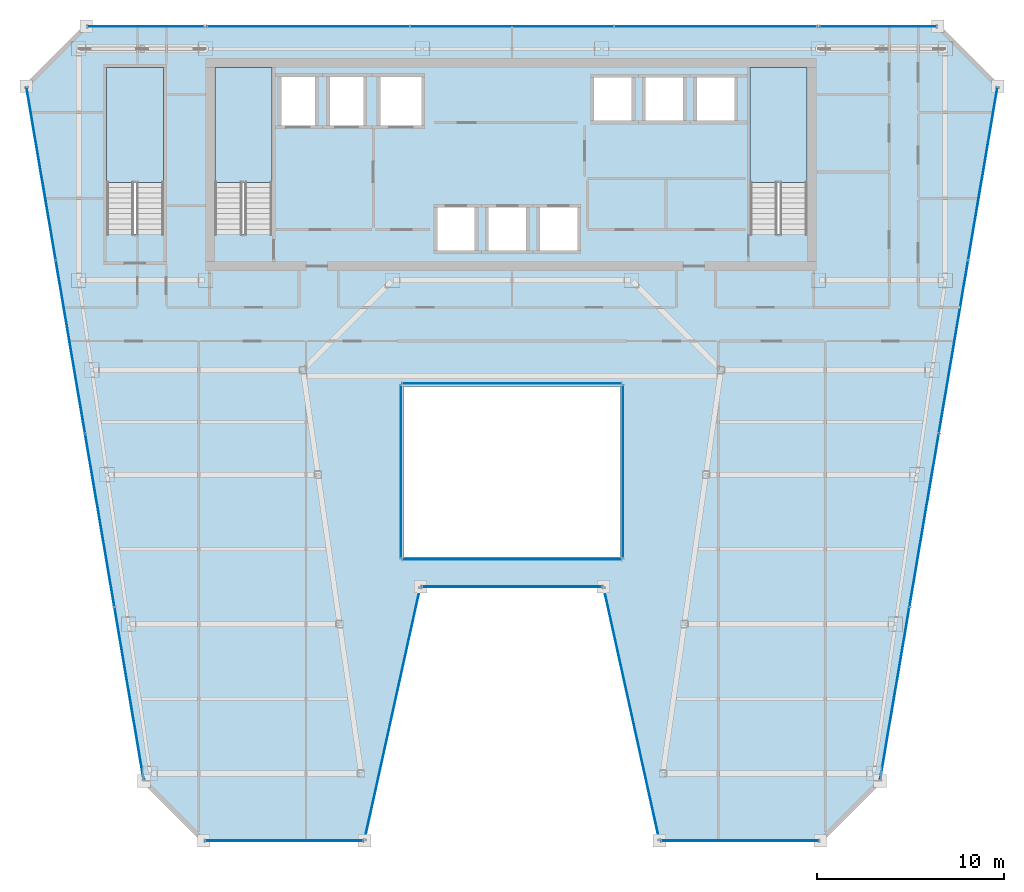
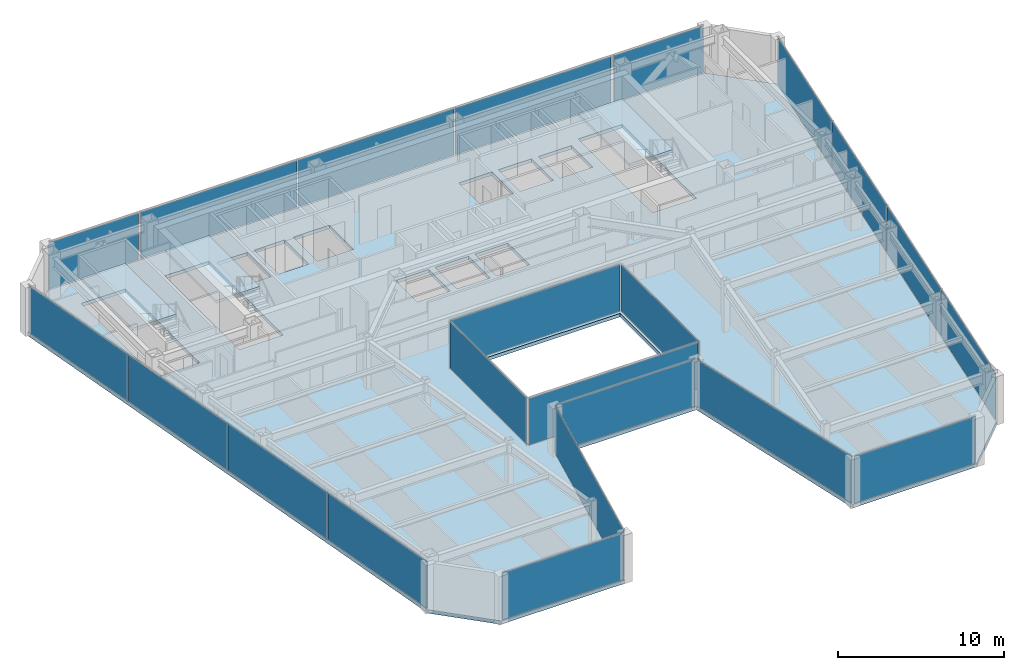
# One storey, part 28 of 36: 22 plates, 4 slabs, 17 elements without a shape of their own.
"""IFC4 building model written with IfcOpenShell, lengths in metres."""

from ifc_helpers import new_model, si_unit, direction, frame, origin, origin_2d, place, context, subcontext, project, spatial, polyline, rectangle, outline, extrude, material, layer, layer_set, type_object, element, aggregate, save


model = new_model("IFC4")

# Units and contexts
model_context = context("Model", 3, precision=1e-05, world=origin(), true_north=direction((0.0, 1.0)))
body_context = subcontext(model_context, "Body", "Model", "MODEL_VIEW")
ifc_project = project(units=[si_unit("LENGTHUNIT", "METRE"), si_unit("AREAUNIT", "SQUARE_METRE"), si_unit("VOLUMEUNIT", "CUBIC_METRE"), si_unit("PLANEANGLEUNIT", "RADIAN"), si_unit("MASSUNIT", "GRAM", prefix="KILO")], contexts=[model_context])

# Site, building, storey
site_placement = place(None, origin())
site = spatial("IfcSite", under=ifc_project, at=site_placement, CompositionType="ELEMENT")
building_placement = place(site_placement, origin())
building = spatial("IfcBuilding", under=site, at=building_placement, Name="Saevonmaru Cultural Tower", CompositionType="ELEMENT")
storey_placement = place(building_placement, frame((0.0, 0.0, 186.60009765625)))
storey = spatial("IfcBuildingStorey", under=building, at=storey_placement, Name="L42", CompositionType="ELEMENT", Elevation=186.60009765625)

# Curtain wall, plate
ifc_material_1 = material(Name="Satin Bronze Anodised Aluminium", Category="aluminium")
curtain_wall_type_1 = type_object("IfcCurtainWallType", Name="CW-ATR-GLZ", PredefinedType="NOTDEFINED", material=ifc_material_1)
curtain_wall_1_placement = place(storey_placement, origin())
curtain_wall_1 = element("IfcCurtainWall", 1, at=curtain_wall_1_placement, inside=storey, type_object=curtain_wall_type_1, Name="L42 Vertical Atrium Glazed Smoke Screen 1", PredefinedType="NOTDEFINED")
ifc_material_2 = material(Name="Fire-Rated Laminated Atrium Glass", Category="glass")
ifc_layer_1 = layer(ifc_material_2, 0.031982421875, Name="Fire-Rated Laminated Atrium Glass")
ifc_layer_set_1 = layer_set([ifc_layer_1], Name="Fire-Rated Laminated Atrium Glass")
plate_type_1 = type_object("IfcPlateType", Name="PN-GLZ-ATR-INT", PredefinedType="CURTAIN_PANEL", material=ifc_layer_set_1)
plate_1_placement = place(storey_placement, frame((30.0, 27.449951171875, 0.06689453125), z_axis=(0.0, 0.0, 1.0), x_axis=(1.0, 0.0, 0.0)))
plate_1 = element("IfcPlate", 2, at=plate_1_placement, type_object=plate_type_1, Name="CW-ATR-L42-1 panel 1.1", PredefinedType="CURTAIN_PANEL", context=body_context, shape_type="SweptSolid", body=[
    extrude(rectangle(XDim=11.7109375, YDim=0.031982421875, at=origin_2d()), origin(), (0.0, 0.0, 1.0), 3.416015625),
])
aggregate(curtain_wall_1, [plate_1])

curtain_wall_2_placement = place(storey_placement, origin())
curtain_wall_2 = element("IfcCurtainWall", 3, at=curtain_wall_2_placement, inside=storey, type_object=curtain_wall_type_1, Name="L42 Vertical Atrium Glazed Smoke Screen 2", PredefinedType="NOTDEFINED")
plate_2_placement = place(storey_placement, frame((35.949951171875, 32.159912109375, 0.06689453125), z_axis=(0.0, 0.0, 1.0), x_axis=(0.0, 1.0, 0.0)))
plate_2 = element("IfcPlate", 4, at=plate_2_placement, type_object=plate_type_1, Name="CW-ATR-L42-2 panel 1.1", PredefinedType="CURTAIN_PANEL", context=body_context, shape_type="SweptSolid", body=[
    extrude(rectangle(XDim=9.23095703125, YDim=0.031982421875, at=origin_2d()), origin(), (0.0, 0.0, 1.0), 3.416015625),
])
aggregate(curtain_wall_2, [plate_2])

curtain_wall_3_placement = place(storey_placement, origin())
curtain_wall_3 = element("IfcCurtainWall", 5, at=curtain_wall_3_placement, inside=storey, type_object=curtain_wall_type_1, Name="L42 Vertical Atrium Glazed Smoke Screen 3", PredefinedType="NOTDEFINED")
plate_3_placement = place(storey_placement, frame((30.0, 36.8701171875, 0.06689453125), z_axis=(0.0, 0.0, 1.0), x_axis=(-1.0, 0.0, 0.0)))
plate_3 = element("IfcPlate", 6, at=plate_3_placement, type_object=plate_type_1, Name="CW-ATR-L42-3 panel 1.1", PredefinedType="CURTAIN_PANEL", context=body_context, shape_type="SweptSolid", body=[
    extrude(rectangle(XDim=11.7109375, YDim=0.031982421875, at=origin_2d()), origin(), (0.0, 0.0, 1.0), 3.416015625),
])
aggregate(curtain_wall_3, [plate_3])

curtain_wall_4_placement = place(storey_placement, origin())
curtain_wall_4 = element("IfcCurtainWall", 7, at=curtain_wall_4_placement, inside=storey, type_object=curtain_wall_type_1, Name="L42 Vertical Atrium Glazed Smoke Screen 4", PredefinedType="NOTDEFINED")
plate_4_placement = place(storey_placement, frame((24.050048828125, 32.159912109375, 0.06689453125), z_axis=(0.0, 0.0, 1.0), x_axis=(0.0, -1.0, 0.0)))
plate_4 = element("IfcPlate", 8, at=plate_4_placement, type_object=plate_type_1, Name="CW-ATR-L42-4 panel 1.1", PredefinedType="CURTAIN_PANEL", context=body_context, shape_type="SweptSolid", body=[
    extrude(rectangle(XDim=9.23095703125, YDim=0.031982421875, at=origin_2d()), origin(), (0.0, 0.0, 1.0), 3.416015625),
])
aggregate(curtain_wall_4, [plate_4])

curtain_wall_type_2 = type_object("IfcCurtainWallType", Name="CW-TYP-B", PredefinedType="NOTDEFINED", material=ifc_material_1)
curtain_wall_5_placement = place(storey_placement, origin())
curtain_wall_5 = element("IfcCurtainWall", 9, at=curtain_wall_5_placement, inside=storey, type_object=curtain_wall_type_2, Name="L42 Unitised Curtain Wall E2", PredefinedType="NOTDEFINED")
ifc_material_3 = material(Name="Triple Silver Low-E Insulating Glass", Category="glass")
ifc_layer_2 = layer(ifc_material_3, 0.035888671875, Name="Triple Silver Low-E Insulating Glass")
ifc_layer_set_2 = layer_set([ifc_layer_2], Name="Triple Silver Low-E Insulating Glass")
plate_type_2 = type_object("IfcPlateType", Name="PN-GLZ-IGU", PredefinedType="CURTAIN_PANEL", material=ifc_layer_set_2)
plate_5_placement = place(storey_placement, frame((17.7978515625, 12.39990234375, 0.06689453125), z_axis=(0.0, 0.0, 1.0), x_axis=(1.0, 0.0, 0.0)))
plate_5 = element("IfcPlate", 10, at=plate_5_placement, type_object=plate_type_2, Name="CW-TW-L42-E2 panel 1.1", PredefinedType="CURTAIN_PANEL", context=body_context, shape_type="SweptSolid", body=[
    extrude(rectangle(XDim=8.410888671875, YDim=0.035888671875, at=origin_2d()), origin(), (0.0, 0.0, 1.0), 3.416015625),
])
aggregate(curtain_wall_5, [plate_5])

curtain_wall_6_placement = place(storey_placement, origin())
curtain_wall_6 = element("IfcCurtainWall", 11, at=curtain_wall_6_placement, inside=storey, type_object=curtain_wall_type_2, Name="L42 Unitised Curtain Wall E3", PredefinedType="NOTDEFINED")
plate_6_placement = place(storey_placement, frame((23.597900390625, 19.199951171875, 0.06689453125), z_axis=(0.0, 0.0, 1.0), x_axis=(0.215413319953, 0.976522965212, 0.0)))
plate_6 = element("IfcPlate", 12, at=plate_6_placement, type_object=plate_type_2, Name="CW-TW-L42-E3 panel 1.1", PredefinedType="CURTAIN_PANEL", context=body_context, shape_type="SweptSolid", body=[
    extrude(rectangle(XDim=13.738037109375, YDim=0.035888671875, at=origin_2d()), origin(), (0.0, 0.0, 1.0), 3.416015625),
])
aggregate(curtain_wall_6, [plate_6])

curtain_wall_7_placement = place(storey_placement, origin())
curtain_wall_7 = element("IfcCurtainWall", 13, at=curtain_wall_7_placement, inside=storey, type_object=curtain_wall_type_2, Name="L42 Unitised Curtain Wall E4", PredefinedType="NOTDEFINED")
plate_7_placement = place(storey_placement, frame((30.0, 26.0, 0.06689453125), z_axis=(0.0, 0.0, 1.0), x_axis=(1.0, 0.0, 0.0)))
plate_7 = element("IfcPlate", 14, at=plate_7_placement, type_object=plate_type_2, Name="CW-TW-L42-E4 panel 1.1", PredefinedType="CURTAIN_PANEL", context=body_context, shape_type="SweptSolid", body=[
    extrude(rectangle(XDim=9.615478515625, YDim=0.035888671875, at=origin_2d()), origin(), (0.0, 0.0, 1.0), 3.416015625),
])
aggregate(curtain_wall_7, [plate_7])

curtain_wall_8_placement = place(storey_placement, origin())
curtain_wall_8 = element("IfcCurtainWall", 15, at=curtain_wall_8_placement, inside=storey, type_object=curtain_wall_type_2, Name="L42 Unitised Curtain Wall E5", PredefinedType="NOTDEFINED")
plate_8_placement = place(storey_placement, frame((36.402099609375, 19.199951171875, 0.06689453125), z_axis=(0.0, 0.0, 1.0), x_axis=(0.215413319953, -0.976522965212, 0.0)))
plate_8 = element("IfcPlate", 16, at=plate_8_placement, type_object=plate_type_2, Name="CW-TW-L42-E5 panel 1.1", PredefinedType="CURTAIN_PANEL", context=body_context, shape_type="SweptSolid", body=[
    extrude(rectangle(XDim=13.738037109375, YDim=0.035888671875, at=origin_2d()), origin(), (0.0, 0.0, 1.0), 3.416015625),
])
aggregate(curtain_wall_8, [plate_8])

curtain_wall_9_placement = place(storey_placement, origin())
curtain_wall_9 = element("IfcCurtainWall", 17, at=curtain_wall_9_placement, inside=storey, type_object=curtain_wall_type_2, Name="L42 Unitised Curtain Wall E6", PredefinedType="NOTDEFINED")
plate_9_placement = place(storey_placement, frame((42.2021484375, 12.39990234375, 0.06689453125), z_axis=(0.0, 0.0, 1.0), x_axis=(1.0, 0.0, 0.0)))
plate_9 = element("IfcPlate", 18, at=plate_9_placement, type_object=plate_type_2, Name="CW-TW-L42-E6 panel 1.1", PredefinedType="CURTAIN_PANEL", context=body_context, shape_type="SweptSolid", body=[
    extrude(rectangle(XDim=8.410888671875, YDim=0.035888671875, at=origin_2d()), origin(), (0.0, 0.0, 1.0), 3.416015625),
])
aggregate(curtain_wall_9, [plate_9])

# Curtain wall, plates
curtain_wall_10_placement = place(storey_placement, origin())
curtain_wall_10 = element("IfcCurtainWall", 19, at=curtain_wall_10_placement, inside=storey, type_object=curtain_wall_type_2, Name="L42 Unitised Curtain Wall E8", PredefinedType="NOTDEFINED")
plate_10_placement = place(storey_placement, frame((50.496826171875, 20.29443359375, 0.06689453125), z_axis=(0.0, 0.0, 1.0), x_axis=(0.16692169721, 0.985970155228, 0.0)))
plate_10 = element("IfcPlate", 20, at=plate_10_placement, type_object=plate_type_2, Name="CW-TW-L42-E8 panel 1.1", PredefinedType="CURTAIN_PANEL", context=body_context, shape_type="SweptSolid", body=[
    extrude(rectangle(XDim=9.333251953125, YDim=0.035888671875, at=origin_2d()), origin(), (0.0, 0.0, 1.0), 3.416015625),
])
plate_11_placement = place(storey_placement, frame((52.06640625, 29.564697265625, 0.06689453125), z_axis=(0.0, 0.0, 1.0), x_axis=(0.16692169721, 0.985970155228, 0.0)))
plate_11 = element("IfcPlate", 21, at=plate_11_placement, type_object=plate_type_2, Name="CW-TW-L42-E8 panel 2.1", PredefinedType="CURTAIN_PANEL", context=body_context, shape_type="SweptSolid", body=[
    extrude(rectangle(XDim=9.333251953125, YDim=0.035888671875, at=origin_2d()), origin(), (0.0, 0.0, 1.0), 3.416015625),
])
plate_12_placement = place(storey_placement, frame((53.6357421875, 38.835205078125, 0.06689453125), z_axis=(0.0, 0.0, 1.0), x_axis=(0.16692169721, 0.985970155228, 0.0)))
plate_12 = element("IfcPlate", 22, at=plate_12_placement, type_object=plate_type_2, Name="CW-TW-L42-E8 panel 3.1", PredefinedType="CURTAIN_PANEL", context=body_context, shape_type="SweptSolid", body=[
    extrude(rectangle(XDim=9.333251953125, YDim=0.035888671875, at=origin_2d()), origin(), (0.0, 0.0, 1.0), 3.416015625),
])
plate_13_placement = place(storey_placement, frame((55.205322265625, 48.105712890625, 0.06689453125), z_axis=(0.0, 0.0, 1.0), x_axis=(0.16692169721, 0.985970155228, 0.0)))
plate_13 = element("IfcPlate", 23, at=plate_13_placement, type_object=plate_type_2, Name="CW-TW-L42-E8 panel 4.1", PredefinedType="CURTAIN_PANEL", context=body_context, shape_type="SweptSolid", body=[
    extrude(rectangle(XDim=9.333251953125, YDim=0.035888671875, at=origin_2d()), origin(), (0.0, 0.0, 1.0), 3.416015625),
])
aggregate(curtain_wall_10, [plate_10, plate_11, plate_12, plate_13])

curtain_wall_11_placement = place(storey_placement, origin())
curtain_wall_11 = element("IfcCurtainWall", 24, at=curtain_wall_11_placement, inside=storey, type_object=curtain_wall_type_2, Name="L42 North Spine Unitised Curtain Wall E10B", PredefinedType="NOTDEFINED")
plate_14_placement = place(storey_placement, frame((40.893310546875, 56.0, 0.06689453125), z_axis=(0.0, 0.0, 1.0), x_axis=(-1.0, 0.0, 0.0)))
plate_14 = element("IfcPlate", 25, at=plate_14_placement, type_object=plate_type_2, Name="CW-TW-L42-E10B panel 1.1", PredefinedType="CURTAIN_PANEL", context=body_context, shape_type="SweptSolid", body=[
    extrude(rectangle(XDim=10.82421875, YDim=0.035888671875, at=origin_2d()), origin(), (0.0, 0.0, 1.0), 3.416015625),
])
plate_15_placement = place(storey_placement, frame((30.0, 56.0, 0.06689453125), z_axis=(0.0, 0.0, 1.0), x_axis=(-1.0, 0.0, 0.0)))
plate_15 = element("IfcPlate", 26, at=plate_15_placement, type_object=plate_type_2, Name="CW-TW-L42-E10B panel 2.1", PredefinedType="CURTAIN_PANEL", context=body_context, shape_type="SweptSolid", body=[
    extrude(rectangle(XDim=10.82421875, YDim=0.035888671875, at=origin_2d()), origin(), (0.0, 0.0, 1.0), 3.416015625),
])
plate_16_placement = place(storey_placement, frame((19.106689453125, 56.0, 0.06689453125), z_axis=(0.0, 0.0, 1.0), x_axis=(-1.0, 0.0, 0.0)))
plate_16 = element("IfcPlate", 27, at=plate_16_placement, type_object=plate_type_2, Name="CW-TW-L42-E10B panel 3.1", PredefinedType="CURTAIN_PANEL", context=body_context, shape_type="SweptSolid", body=[
    extrude(rectangle(XDim=10.82421875, YDim=0.035888671875, at=origin_2d()), origin(), (0.0, 0.0, 1.0), 3.416015625),
])
aggregate(curtain_wall_11, [plate_14, plate_15, plate_16])

curtain_wall_12_placement = place(storey_placement, origin())
curtain_wall_12 = element("IfcCurtainWall", 28, at=curtain_wall_12_placement, inside=storey, type_object=curtain_wall_type_2, Name="L42 Unitised Curtain Wall E12", PredefinedType="NOTDEFINED")
plate_17_placement = place(storey_placement, frame((4.794677734375, 48.105712890625, 0.06689453125), z_axis=(0.0, 0.0, 1.0), x_axis=(0.16692169721, -0.985970155228, 0.0)))
plate_17 = element("IfcPlate", 29, at=plate_17_placement, type_object=plate_type_2, Name="CW-TW-L42-E12 panel 1.1", PredefinedType="CURTAIN_PANEL", context=body_context, shape_type="SweptSolid", body=[
    extrude(rectangle(XDim=9.333251953125, YDim=0.035888671875, at=origin_2d()), origin(), (0.0, 0.0, 1.0), 3.416015625),
])
plate_18_placement = place(storey_placement, frame((6.3642578125, 38.835205078125, 0.06689453125), z_axis=(0.0, 0.0, 1.0), x_axis=(0.16692169721, -0.985970155228, 0.0)))
plate_18 = element("IfcPlate", 30, at=plate_18_placement, type_object=plate_type_2, Name="CW-TW-L42-E12 panel 2.1", PredefinedType="CURTAIN_PANEL", context=body_context, shape_type="SweptSolid", body=[
    extrude(rectangle(XDim=9.333251953125, YDim=0.035888671875, at=origin_2d()), origin(), (0.0, 0.0, 1.0), 3.416015625),
])
plate_19_placement = place(storey_placement, frame((7.93359375, 29.564697265625, 0.06689453125), z_axis=(0.0, 0.0, 1.0), x_axis=(0.16692169721, -0.985970155228, 0.0)))
plate_19 = element("IfcPlate", 31, at=plate_19_placement, type_object=plate_type_2, Name="CW-TW-L42-E12 panel 3.1", PredefinedType="CURTAIN_PANEL", context=body_context, shape_type="SweptSolid", body=[
    extrude(rectangle(XDim=9.333251953125, YDim=0.035888671875, at=origin_2d()), origin(), (0.0, 0.0, 1.0), 3.416015625),
])
plate_20_placement = place(storey_placement, frame((9.503173828125, 20.29443359375, 0.06689453125), z_axis=(0.0, 0.0, 1.0), x_axis=(0.16692169721, -0.985970155228, 0.0)))
plate_20 = element("IfcPlate", 32, at=plate_20_placement, type_object=plate_type_2, Name="CW-TW-L42-E12 panel 4.1", PredefinedType="CURTAIN_PANEL", context=body_context, shape_type="SweptSolid", body=[
    extrude(rectangle(XDim=9.333251953125, YDim=0.035888671875, at=origin_2d()), origin(), (0.0, 0.0, 1.0), 3.416015625),
])
aggregate(curtain_wall_12, [plate_17, plate_18, plate_19, plate_20])

# Curtain wall, plate
curtain_wall_13_placement = place(storey_placement, origin())
curtain_wall_13 = element("IfcCurtainWall", 33, at=curtain_wall_13_placement, inside=storey, type_object=curtain_wall_type_2, Name="L42 East Braced Bay Spandrel Curtain Wall E10A", PredefinedType="NOTDEFINED")
ifc_material_4 = material(Name="Insulated Satin Bronze Aluminium Spandrel Panel", Category="aluminium")
ifc_layer_3 = layer(ifc_material_4, 0.0400390625, Name="Insulated Satin Bronze Aluminium Spandrel Panel")
ifc_layer_set_3 = layer_set([ifc_layer_3], Name="Insulated Satin Bronze Aluminium Spandrel Panel")
plate_type_3 = type_object("IfcPlateType", Name="PN-SPANDREL-BRONZE", PredefinedType="CURTAIN_PANEL", material=ifc_layer_set_3)
plate_21_placement = place(storey_placement, frame((49.60009765625, 56.0, 0.06689453125), z_axis=(0.0, 0.0, 1.0), x_axis=(-1.0, 0.0, 0.0)))
plate_21 = element("IfcPlate", 34, at=plate_21_placement, type_object=plate_type_3, Name="CW-TW-L42-E10A panel 1.1", PredefinedType="CURTAIN_PANEL", context=body_context, shape_type="SweptSolid", body=[
    extrude(rectangle(XDim=6.2109375, YDim=0.035888671875, at=origin_2d()), origin(), (0.0, 0.0, 1.0), 3.416015625),
])
aggregate(curtain_wall_13, [plate_21])

curtain_wall_14_placement = place(storey_placement, origin())
curtain_wall_14 = element("IfcCurtainWall", 35, at=curtain_wall_14_placement, inside=storey, type_object=curtain_wall_type_2, Name="L42 West Braced Bay Spandrel Curtain Wall E10C", PredefinedType="NOTDEFINED")
plate_22_placement = place(storey_placement, frame((10.39990234375, 56.0, 0.06689453125), z_axis=(0.0, 0.0, 1.0), x_axis=(-1.0, 0.0, 0.0)))
plate_22 = element("IfcPlate", 36, at=plate_22_placement, type_object=plate_type_3, Name="CW-TW-L42-E10C panel 1.1", PredefinedType="CURTAIN_PANEL", context=body_context, shape_type="SweptSolid", body=[
    extrude(rectangle(XDim=6.2109375, YDim=0.035888671875, at=origin_2d()), origin(), (0.0, 0.0, 1.0), 3.416015625),
])
aggregate(curtain_wall_14, [plate_22])

# Slab
ifc_material_5 = material(Name="Concrete C40/50", Category="concrete")
ifc_layer_4 = layer(ifc_material_5, 0.25, Name="Concrete C40/50")
ifc_layer_set_4 = layer_set([ifc_layer_4], Name="Concrete C40/50")
slab_type_1 = type_object("IfcSlabType", Name="SL-FLR-250", PredefinedType="FLOOR", material=ifc_layer_set_4)
slab_1_placement = place(storey_placement, frame((0.0, 0.0, -0.25)))
element("IfcSlab", 37, at=slab_1_placement, inside=storey, type_object=slab_type_1, Name="L42 Tower Structural Floor Slab", PredefinedType="FLOOR", context=body_context, shape_type="SweptSolid", body=[
    extrude(outline(polyline([(10.2978515625, 15.60009765625), (13.497802734375, 12.39990234375), (22.097900390625, 12.39990234375), (25.097900390625, 26.0), (34.902099609375, 26.0), (37.902099609375, 12.39990234375), (46.502197265625, 12.39990234375), (49.7021484375, 15.60009765625), (56.0, 52.800048828125), (52.800048828125, 56.0), (7.199951171875, 56.0), (4.0, 52.800048828125), (10.2978515625, 15.60009765625)]), holes=[polyline([(45.800048828125, 44.875), (42.75, 44.875), (42.75, 53.800048828125), (45.800048828125, 53.800048828125), (45.800048828125, 44.875)]), polyline([(39.75, 50.800048828125), (39.75, 53.39990234375), (42.050048828125, 53.39990234375), (42.050048828125, 50.800048828125), (39.75, 50.800048828125)]), polyline([(37.0, 50.800048828125), (37.0, 53.39990234375), (39.300048828125, 53.39990234375), (39.300048828125, 50.800048828125), (37.0, 50.800048828125)]), polyline([(34.25, 50.800048828125), (34.25, 53.39990234375), (36.550048828125, 53.39990234375), (36.550048828125, 50.800048828125), (34.25, 50.800048828125)]), polyline([(24.199951171875, 27.60009765625), (24.199951171875, 36.719970703125), (35.800048828125, 36.719970703125), (35.800048828125, 27.60009765625), (24.199951171875, 27.60009765625)]), polyline([(31.35009765625, 43.85009765625), (31.35009765625, 46.449951171875), (33.64990234375, 46.449951171875), (33.64990234375, 43.85009765625), (31.35009765625, 43.85009765625)]), polyline([(28.60009765625, 43.85009765625), (28.60009765625, 46.449951171875), (30.89990234375, 46.449951171875), (30.89990234375, 43.85009765625), (28.60009765625, 43.85009765625)]), polyline([(28.14990234375, 43.85009765625), (25.85009765625, 43.85009765625), (25.85009765625, 46.449951171875), (28.14990234375, 46.449951171875), (28.14990234375, 43.85009765625)]), polyline([(25.300048828125, 50.550048828125), (22.800048828125, 50.550048828125), (22.800048828125, 53.449951171875), (25.300048828125, 53.449951171875), (25.300048828125, 50.550048828125)]), polyline([(20.10009765625, 50.550048828125), (20.10009765625, 53.449951171875), (22.199951171875, 53.449951171875), (22.199951171875, 50.550048828125), (20.10009765625, 50.550048828125)]), polyline([(17.5, 50.550048828125), (17.5, 53.449951171875), (19.60009765625, 53.449951171875), (19.60009765625, 50.550048828125), (17.5, 50.550048828125)]), polyline([(17.14990234375, 53.800048828125), (17.14990234375, 44.875), (14.10009765625, 44.875), (14.10009765625, 53.800048828125), (17.14990234375, 53.800048828125)]), polyline([(11.35009765625, 44.875), (8.300048828125, 44.875), (8.300048828125, 53.800048828125), (11.35009765625, 53.800048828125), (11.35009765625, 44.875)])]), origin(), (0.0, 0.0, 1.0), 0.25),
])

# Stair, slab
stair_type = type_object("IfcStairType", Name="STR-DOGLEG-RC", PredefinedType="HALF_TURN_STAIR", material=ifc_material_5)
stair_1_placement = place(storey_placement, origin())
stair_1 = element("IfcStair", 38, at=stair_1_placement, inside=storey, type_object=stair_type, Name="L42 Protected exit stair ST-1", PredefinedType="HALF_TURN_STAIR")
ifc_layer_5 = layer(ifc_material_5, 0.199951171875, Name="Concrete C40/50")
ifc_layer_set_5 = layer_set([ifc_layer_5], Name="Concrete C40/50")
slab_type_2 = type_object("IfcSlabType", Name="SL-STAIR-LANDING", PredefinedType="LANDING", material=ifc_layer_set_5)
slab_2_placement = place(storey_placement, frame((0.0, 0.0, 1.699951171875)))
slab_2 = element("IfcSlab", 39, at=slab_2_placement, type_object=slab_type_2, Name="ST-1-L42 landing 1", PredefinedType="LANDING", context=body_context, shape_type="SweptSolid", body=[
    extrude(outline(polyline([(17.14990234375, 47.64990234375), (17.14990234375, 53.800048828125), (14.10009765625, 53.800048828125), (14.10009765625, 47.64990234375), (17.14990234375, 47.64990234375)])), origin(), (0.0, 0.0, 1.0), 0.199951171875),
])
aggregate(stair_1, [slab_2])

stair_2_placement = place(storey_placement, origin())
stair_2 = element("IfcStair", 40, at=stair_2_placement, inside=storey, type_object=stair_type, Name="L42 Protected exit stair ST-2", PredefinedType="HALF_TURN_STAIR")
slab_3_placement = place(storey_placement, frame((0.0, 0.0, 1.699951171875)))
slab_3 = element("IfcSlab", 41, at=slab_3_placement, type_object=slab_type_2, Name="ST-2-L42 landing 1", PredefinedType="LANDING", context=body_context, shape_type="SweptSolid", body=[
    extrude(outline(polyline([(45.800048828125, 47.64990234375), (45.800048828125, 53.800048828125), (42.75, 53.800048828125), (42.75, 47.64990234375), (45.800048828125, 47.64990234375)])), origin(), (0.0, 0.0, 1.0), 0.199951171875),
])
aggregate(stair_2, [slab_3])

stair_3_placement = place(storey_placement, origin())
stair_3 = element("IfcStair", 42, at=stair_3_placement, inside=storey, type_object=stair_type, Name="L42 Protected exit stair ST-3", PredefinedType="HALF_TURN_STAIR")
slab_4_placement = place(storey_placement, frame((0.0, 0.0, 1.699951171875)))
slab_4 = element("IfcSlab", 43, at=slab_4_placement, type_object=slab_type_2, Name="ST-3-L42 landing 1", PredefinedType="LANDING", context=body_context, shape_type="SweptSolid", body=[
    extrude(outline(polyline([(11.35009765625, 47.64990234375), (11.35009765625, 53.800048828125), (8.300048828125, 53.800048828125), (8.300048828125, 47.64990234375), (11.35009765625, 47.64990234375)])), origin(), (0.0, 0.0, 1.0), 0.199951171875),
])
aggregate(stair_3, [slab_4])

save(model, "model.ifc")
